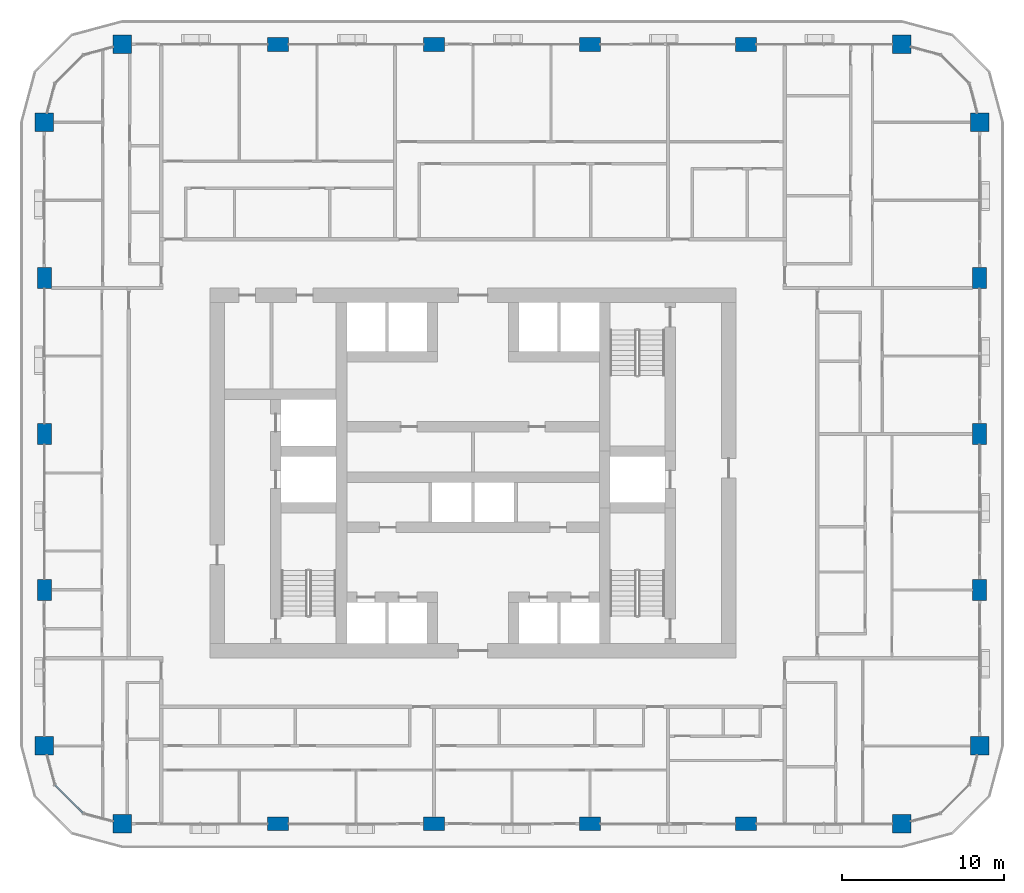
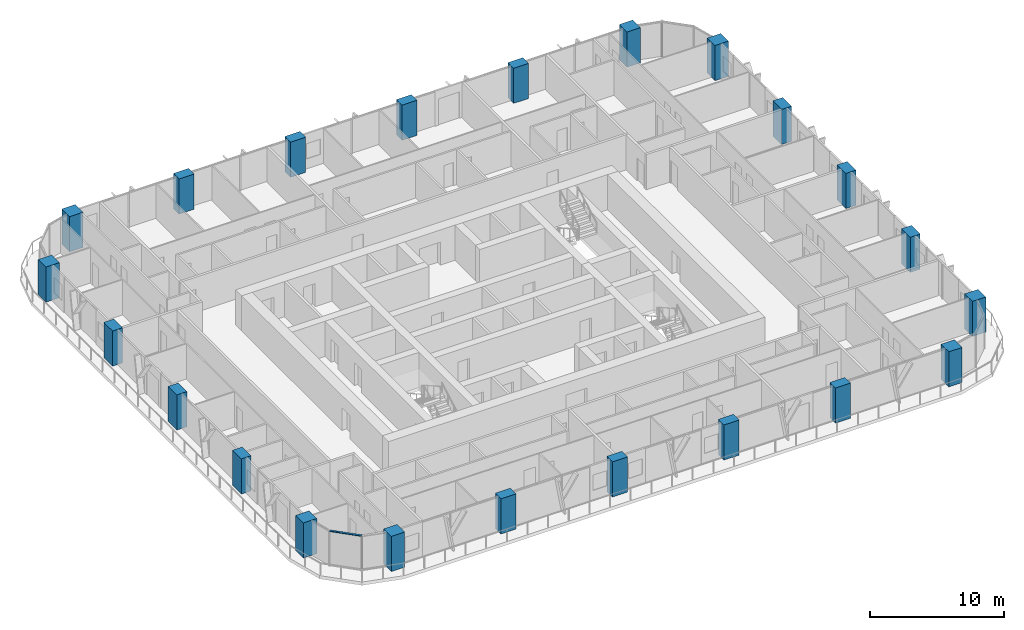
# One storey, part 1 of 21: 22 columns, 1 member, 1 element without a shape of its own.
"""IFC4 building model written with IfcOpenShell, lengths in metres."""

from ifc_helpers import new_model, si_unit, direction, frame, origin, origin_2d, place, context, subcontext, project, spatial, rectangle, extrude, material, layer, layer_set, material_profile, profile_set, type_object, element, aggregate, save


model = new_model("IFC4")

# Units and contexts
model_context = context("Model", 3, precision=1e-05, world=origin(), true_north=direction((0.0, 1.0)))
body_context = subcontext(model_context, "Body", "Model", "MODEL_VIEW")
ifc_project = project(units=[si_unit("LENGTHUNIT", "METRE"), si_unit("AREAUNIT", "SQUARE_METRE"), si_unit("VOLUMEUNIT", "CUBIC_METRE"), si_unit("PLANEANGLEUNIT", "RADIAN"), si_unit("MASSUNIT", "GRAM", prefix="KILO")], contexts=[model_context])

# Site, building, storey
site_placement = place(None, origin())
site = spatial("IfcSite", under=ifc_project, at=site_placement, CompositionType="ELEMENT")
building_placement = place(site_placement, origin())
building = spatial("IfcBuilding", under=site, at=building_placement, Name="Madar Terraces", CompositionType="ELEMENT")
storey_placement = place(building_placement, frame((0.0, 0.0, 96.199951171875)))
storey = spatial("IfcBuildingStorey", under=building, at=storey_placement, Name="L24", CompositionType="ELEMENT", Elevation=96.199951171875)

# Columns
ifc_material_1 = material(Name="Concrete C80/95", Category="concrete")
ifc_material_profile_1 = material_profile(ifc_material_1, rectangle(XDim=1.300048828125, YDim=0.85009765625, at=origin_2d()), Name="CC2 RC 1300x850")
ifc_profile_set_1 = profile_set([ifc_material_profile_1], Name="Concrete C80/95")
column_type_1 = type_object("IfcColumnType", Name="CC2 RC 1300x850", PredefinedType="COLUMN", material=ifc_profile_set_1)
for number, where, z_axis, x_axis, name in (
    (1, (19.199951171875, 4.800048828125, 0.0), (0.0, 0.0, 1.0), (1.0, 0.0, 0.0), "Perimeter column S2"),
    (2, (28.800048828125, 4.800048828125, 0.0), (0.0, 0.0, 1.0), (1.0, 0.0, 0.0), "Perimeter column S3"),
    (3, (38.39990234375, 4.800048828125, 0.0), (0.0, 0.0, 1.0), (1.0, 0.0, 0.0), "Perimeter column S4"),
    (4, (48.0, 4.800048828125, 0.0), (0.0, 0.0, 1.0), (1.0, 0.0, 0.0), "Perimeter column S5"),
    (5, (62.39990234375, 19.199951171875, 0.0), (0.0, 0.0, 1.0), (0.0, 1.0, 0.0), "Perimeter column E2"),
    (6, (62.39990234375, 28.800048828125, 0.0), (0.0, 0.0, 1.0), (0.0, 1.0, 0.0), "Perimeter column E3"),
    (7, (62.39990234375, 38.39990234375, 0.0), (0.0, 0.0, 1.0), (0.0, 1.0, 0.0), "Perimeter column E4"),
    (8, (48.0, 52.800048828125, 0.0), (0.0, 0.0, 1.0), (1.0, 0.0, 0.0), "Perimeter column N2"),
    (9, (38.39990234375, 52.800048828125, 0.0), (0.0, 0.0, 1.0), (1.0, 0.0, 0.0), "Perimeter column N3"),
    (10, (28.800048828125, 52.800048828125, 0.0), (0.0, 0.0, 1.0), (1.0, 0.0, 0.0), "Perimeter column N4"),
    (11, (19.199951171875, 52.800048828125, 0.0), (0.0, 0.0, 1.0), (1.0, 0.0, 0.0), "Perimeter column N5"),
    (12, (4.800048828125, 38.39990234375, 0.0), (0.0, 0.0, 1.0), (0.0, 1.0, 0.0), "Perimeter column W2"),
    (13, (4.800048828125, 28.800048828125, 0.0), (0.0, 0.0, 1.0), (0.0, 1.0, 0.0), "Perimeter column W3"),
    (14, (4.800048828125, 19.199951171875, 0.0), (0.0, 0.0, 1.0), (0.0, 1.0, 0.0), "Perimeter column W4"),
):
    element("IfcColumn", number, at=place(storey_placement, frame(where, z_axis=z_axis, x_axis=x_axis)), inside=storey, type_object=column_type_1, Name=name, PredefinedType="COLUMN", context=body_context, shape_type="SweptSolid", body=[
        extrude(rectangle(XDim=1.300048828125, YDim=0.85009765625, at=origin_2d()), origin(), (0.0, 0.0, 1.0), 3.199951171875),
    ])
ifc_material_2 = material(Name="Concrete C80/95", Category="concrete")
ifc_material_profile_2 = material_profile(ifc_material_2, rectangle(XDim=1.14990234375, YDim=1.14990234375, at=origin_2d()), Name="KC2 RC 1150x1150")
ifc_profile_set_2 = profile_set([ifc_material_profile_2], Name="Concrete C80/95")
column_type_2 = type_object("IfcColumnType", Name="KC2 RC 1150x1150", PredefinedType="COLUMN", material=ifc_profile_set_2)
for number, where, z_axis, x_axis, name in (
    (15, (9.60009765625, 4.800048828125, 0.0), (0.0, 0.0, 1.0), (1.0, 0.0, 0.0), "Perimeter column S1"),
    (16, (57.60009765625, 4.800048828125, 0.0), (0.0, 0.0, 1.0), (1.0, 0.0, 0.0), "Perimeter column S6"),
    (17, (62.39990234375, 9.60009765625, 0.0), (0.0, 0.0, 1.0), (1.0, 0.0, 0.0), "Perimeter column E1"),
    (18, (62.39990234375, 48.0, 0.0), (0.0, 0.0, 1.0), (1.0, 0.0, 0.0), "Perimeter column E5"),
    (19, (57.60009765625, 52.800048828125, 0.0), (0.0, 0.0, 1.0), (1.0, 0.0, 0.0), "Perimeter column N1"),
    (20, (9.60009765625, 52.800048828125, 0.0), (0.0, 0.0, 1.0), (1.0, 0.0, 0.0), "Perimeter column N6"),
    (21, (4.800048828125, 48.0, 0.0), (0.0, 0.0, 1.0), (1.0, 0.0, 0.0), "Perimeter column W1"),
    (22, (4.800048828125, 9.60009765625, 0.0), (0.0, 0.0, 1.0), (1.0, 0.0, 0.0), "Perimeter column W5"),
):
    element("IfcColumn", number, at=place(storey_placement, frame(where, z_axis=z_axis, x_axis=x_axis)), inside=storey, type_object=column_type_2, Name=name, PredefinedType="COLUMN", context=body_context, shape_type="SweptSolid", body=[
        extrude(rectangle(XDim=1.14990234375, YDim=1.14990234375, at=origin_2d()), origin(), (0.0, 0.0, 1.0), 3.199951171875),
    ])

# Curtain wall, member
ifc_material_3 = material(Name="Glass, ceramic frit dark grey, with black aluminium frame", Category="aluminium")
ifc_layer = layer(ifc_material_3, 0.199951171875)
ifc_layer_set = layer_set([ifc_layer], Name="Facade curtain wall, fritted glass")
curtain_wall_type = type_object("IfcCurtainWallType", Name="Facade curtain wall, fritted glass", PredefinedType="NOTDEFINED", material=ifc_layer_set)
curtain_wall_placement = place(storey_placement, origin())
curtain_wall = element("IfcCurtainWall", 23, at=curtain_wall_placement, inside=storey, type_object=curtain_wall_type, Name="Outer skin curtain wall south-west corner", PredefinedType="NOTDEFINED")
ifc_material_4 = material(Name="Aluminium, black anodised", Category="aluminium")
ifc_material_profile_3 = material_profile(ifc_material_4, rectangle(XDim=0.1201171875, YDim=0.06005859375, at=origin_2d()), Name="Facade transom 60x120")
ifc_profile_set_3 = profile_set([ifc_material_profile_3], Name="Aluminium, black anodised")
member_type = type_object("IfcMemberType", Name="Facade transom 60x120", PredefinedType="USERDEFINED", material=ifc_profile_set_3)
member_placement = place(storey_placement, frame((5.46435546875, 7.1787109375, 3.170166015625), z_axis=(0.707106781187, -0.707106781187, 0.0), x_axis=(0.707106781187, 0.707106781187, 0.0)))
member = element("IfcMember", 24, at=member_placement, type_object=member_type, Name="Transom 2", ObjectType="TRANSOM", PredefinedType="USERDEFINED", context=body_context, shape_type="SweptSolid", body=[
    extrude(rectangle(XDim=0.1201171875, YDim=0.06005859375, at=origin_2d()), origin(), (0.0, 0.0, 1.0), 2.424560546875),
])
aggregate(curtain_wall, [member])

save(model, "model.ifc")
